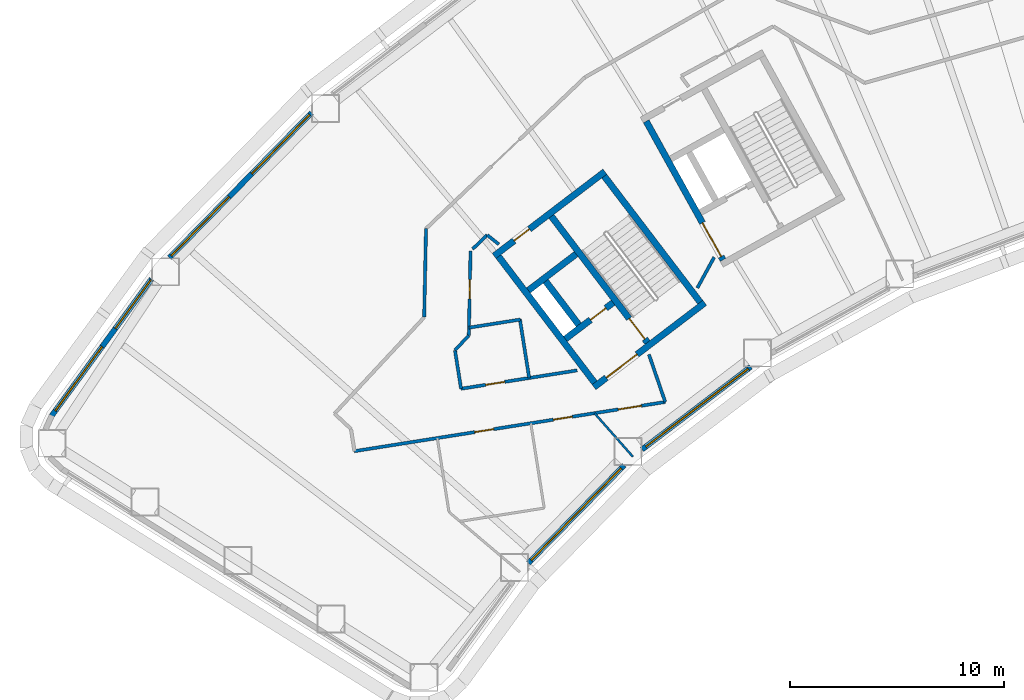
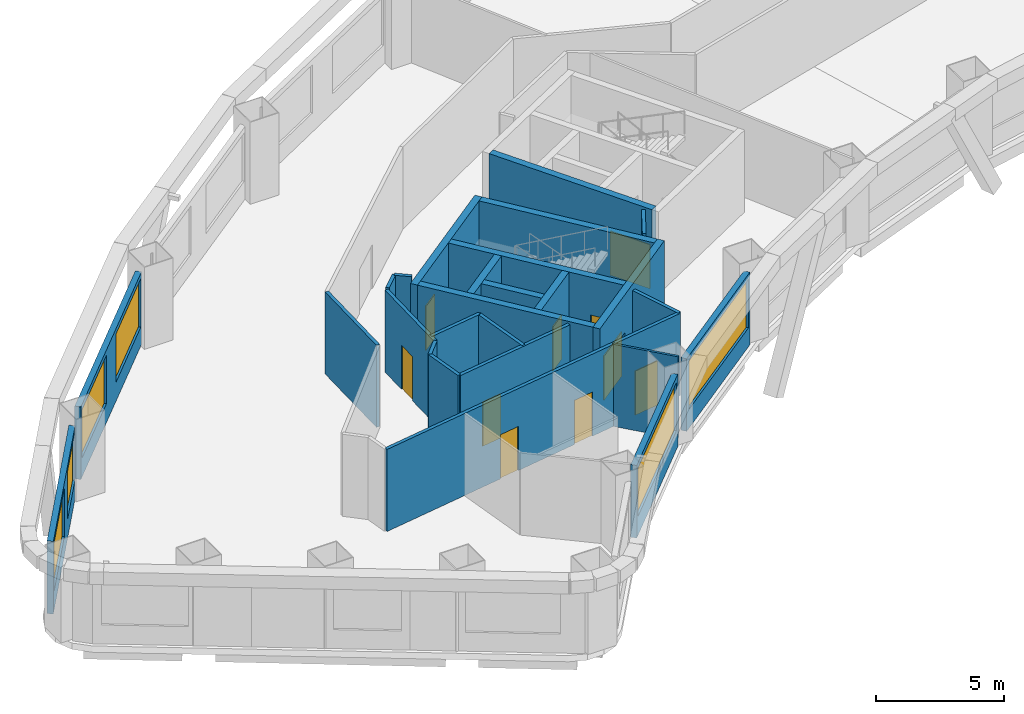
# One storey, part 3 of 14: 26 walls, 10 doors, 6 windows, 16 openings.
"""IFC4 building model written with IfcOpenShell, lengths in metres."""

from ifc_helpers import new_model, si_unit, direction, frame, frame_2d, origin, place, context, subcontext, project, spatial, rectangle, extrude, material, layer, layer_set, type_object, element, fill, save


model = new_model("IFC4")

# Units and contexts
model_context = context("Model", 3, precision=1e-05, world=origin(), true_north=direction((0.0, 1.0)))
body_context = subcontext(model_context, "Body", "Model", "MODEL_VIEW")
ifc_project = project(units=[si_unit("LENGTHUNIT", "METRE"), si_unit("AREAUNIT", "SQUARE_METRE"), si_unit("VOLUMEUNIT", "CUBIC_METRE"), si_unit("PLANEANGLEUNIT", "RADIAN"), si_unit("MASSUNIT", "GRAM", prefix="KILO")], contexts=[model_context])

# Site, building, storey
site_placement = place(None, origin())
site = spatial("IfcSite", under=ifc_project, at=site_placement, CompositionType="ELEMENT")
building_placement = place(site_placement, origin())
building = spatial("IfcBuilding", under=site, at=building_placement, Name="Tuul Gate Civic Tower", CompositionType="ELEMENT")
storey_placement = place(building_placement, frame((0.0, 0.0, 44.10009765625)))
storey = spatial("IfcBuildingStorey", under=building, at=storey_placement, Name="Level 09", CompositionType="ELEMENT", Elevation=44.10009765625)

# Wall, opening, door
ifc_material_1 = material(Name="Concrete C50/60", Category="concrete")
ifc_layer_1 = layer(ifc_material_1, 0.300048828125)
ifc_layer_set_1 = layer_set([ifc_layer_1], Name="Concrete C50/60")
wall_type_1 = type_object("IfcWallType", Name="Core wall C50/60", PredefinedType="SHEAR", material=ifc_layer_set_1)
wall_1_placement = place(storey_placement, frame((-31.19091796875, -13.669677734375, 0.0), z_axis=(0.0, 0.0, 1.0), x_axis=(-0.795606717756, -0.605813461934, 0.0)))
wall_1 = element("IfcWall", 1, at=wall_1_placement, inside=storey, type_object=wall_type_1, Name="Core wall", PredefinedType="SHEAR", context=body_context, shape_type="SweptSolid", body=[
    extrude(rectangle(XDim=6.5, YDim=0.300048828125, at=frame_2d((3.25, 0.0))), origin(), (0.0, 0.0, 1.0), 3.89990234375),
])
opening_1_placement = place(wall_1_placement, frame((3.97509765625, 0.0, 0.0)))
opening_1 = element("IfcOpeningElement", 2, at=opening_1_placement, cuts=wall_1, Name="Opening LB-W1-LOBBY-1", PredefinedType="OPENING", context=body_context, shape_type="SweptSolid", body=[
    extrude(rectangle(XDim=1.800048828125, YDim=2.10009765625, at=frame_2d((0.89990234375, 1.050048828125))), frame((0.0, 0.16015625, 0.0), z_axis=(0.0, -1.0, 0.0), x_axis=(1.0, 0.0, 0.0)), (0.0, 0.0, 1.0), 0.320068359375),
])
ifc_material_2 = material(Name="Steel", Category="steel")
door_type_1 = type_object("IfcDoorType", Name="Lobby door", OperationType="DOUBLE_DOOR_SINGLE_SWING", PredefinedType="DOOR", material=ifc_material_2)
door_1_placement = place(opening_1_placement, origin())
door_1 = element("IfcDoor", 3, at=door_1_placement, inside=storey, type_object=door_type_1, Name="Lobby door W1-LOBBY", OperationType="DOUBLE_DOOR_SINGLE_SWING", OverallHeight=2.10009765625, OverallWidth=1.800048828125, PredefinedType="DOOR", context=body_context, shape_type="SweptSolid", body=[
    extrude(rectangle(XDim=1.800048828125, YDim=2.10009765625, at=frame_2d((0.89990234375, 1.050048828125))), frame((0.0, 0.02490234375, 0.0), z_axis=(0.0, -1.0, 0.0), x_axis=(1.0, 0.0, 0.0)), (0.0, 0.0, 1.0), 0.050048828125),
])
fill(opening_1, door_1)

wall_2_placement = place(storey_placement, frame((-35.470947265625, -13.66064453125, 0.0), z_axis=(0.0, 0.0, 1.0), x_axis=(-0.795615822227, -0.605801504968, 0.0)))
wall_2 = element("IfcWall", 4, at=wall_2_placement, inside=storey, type_object=wall_type_1, Name="Core wall", PredefinedType="SHEAR", context=body_context, shape_type="SweptSolid", body=[
    extrude(rectangle(XDim=2.800048828125, YDim=0.300048828125, at=frame_2d((1.39990234375, 0.0))), origin(), (0.0, 0.0, 1.0), 3.89990234375),
])
opening_2_placement = place(wall_2_placement, frame((0.425048828125, 0.0, 0.0)))
opening_2 = element("IfcOpeningElement", 5, at=opening_2_placement, cuts=wall_2, Name="Opening FB-W1A1", PredefinedType="OPENING", context=body_context, shape_type="SweptSolid", body=[
    extrude(rectangle(XDim=0.89990234375, YDim=2.10009765625, at=frame_2d((0.449951171875, 1.050048828125))), frame((0.0, 0.16015625, 0.0), z_axis=(0.0, -1.0, 0.0), x_axis=(1.0, 0.0, 0.0)), (0.0, 0.0, 1.0), 0.320068359375),
])
ifc_material_3 = material(Name="Steel", Category="steel")
door_type_2 = type_object("IfcDoorType", Name="Store door", OperationType="NOTDEFINED", PredefinedType="DOOR", material=ifc_material_3)
door_2_placement = place(opening_2_placement, frame((0.89990234375, 0.0, 0.0), z_axis=(0.0, 0.0, 1.0), x_axis=(-1.0, 0.0, 0.0)))
door_2 = element("IfcDoor", 6, at=door_2_placement, inside=storey, type_object=door_type_2, Name="Store door W1A1", OperationType="SINGLE_SWING_RIGHT", OverallHeight=2.10009765625, OverallWidth=0.89990234375, PredefinedType="DOOR", context=body_context, shape_type="SweptSolid", body=[
    extrude(rectangle(XDim=0.89990234375, YDim=2.10009765625, at=frame_2d((0.449951171875, 1.050048828125))), frame((0.0, 0.02490234375, 0.0), z_axis=(0.0, -1.0, 0.0), x_axis=(1.0, 0.0, 0.0)), (0.0, 0.0, 1.0), 0.050048828125),
])
fill(opening_2, door_2)

# Wall
wall_3_placement = place(storey_placement, frame((-37.197509765625, -11.39306640625, 0.0), z_axis=(0.0, 0.0, 1.0), x_axis=(-0.795583820278, -0.605843531707, 0.0)))
element("IfcWall", 7, at=wall_3_placement, inside=storey, type_object=wall_type_1, Name="Core wall", PredefinedType="SHEAR", context=body_context, shape_type="SweptSolid", body=[
    extrude(rectangle(XDim=2.7998046875, YDim=0.300048828125, at=frame_2d((1.39990234375, 0.0))), origin(), (0.0, 0.0, 1.0), 3.89990234375),
])

# Wall, opening, door
wall_4_placement = place(storey_placement, frame((-35.855224609375, -7.543212890625, 0.0), z_axis=(0.0, 0.0, 1.0), x_axis=(-0.79563860527, -0.605771582202, 0.0)))
wall_4 = element("IfcWall", 8, at=wall_4_placement, inside=storey, type_object=wall_type_1, Name="Core wall", PredefinedType="SHEAR", context=body_context, shape_type="SweptSolid", body=[
    extrude(rectangle(XDim=6.5, YDim=0.300048828125, at=frame_2d((3.25, 0.0))), origin(), (0.0, 0.0, 1.0), 3.89990234375),
])
opening_3_placement = place(wall_4_placement, frame((4.425048828125, 0.0, 0.0)))
opening_3 = element("IfcOpeningElement", 9, at=opening_3_placement, cuts=wall_4, Name="Opening B-D17", PredefinedType="OPENING", context=body_context, shape_type="SweptSolid", body=[
    extrude(rectangle(XDim=0.89990234375, YDim=2.10009765625, at=frame_2d((0.449951171875, 1.050048828125))), frame((0.0, 0.16015625, 0.0), z_axis=(0.0, -1.0, 0.0), x_axis=(1.0, 0.0, 0.0)), (0.0, 0.0, 1.0), 0.320068359375),
])
ifc_material_4 = material(Name="Timber door leaf", Category="wood")
door_type_3 = type_object("IfcDoorType", Name="Door D09", OperationType="NOTDEFINED", PredefinedType="DOOR", material=ifc_material_4)
door_3_placement = place(opening_3_placement, origin())
door_3 = element("IfcDoor", 10, at=door_3_placement, inside=storey, type_object=door_type_3, Name="Door B-D17", OperationType="SINGLE_SWING_LEFT", OverallHeight=2.10009765625, OverallWidth=0.89990234375, PredefinedType="DOOR", context=body_context, shape_type="SweptSolid", body=[
    extrude(rectangle(XDim=0.89990234375, YDim=2.10009765625, at=frame_2d((0.449951171875, 1.050048828125))), frame((0.0, 0.02490234375, 0.0), z_axis=(0.0, -1.0, 0.0), x_axis=(1.0, 0.0, 0.0)), (0.0, 0.0, 1.0), 0.050048828125),
])
fill(opening_3, door_3)

# Wall
wall_5_placement = place(storey_placement, frame((-31.401123046875, -13.64111328125, 0.0), z_axis=(0.0, 0.0, 1.0), x_axis=(-0.605769822278, 0.795639945213, 0.0)))
element("IfcWall", 11, at=wall_5_placement, inside=storey, type_object=wall_type_1, Name="Core wall", PredefinedType="SHEAR", context=body_context, shape_type="SweptSolid", body=[
    extrude(rectangle(XDim=7.39990234375, YDim=0.300048828125, at=frame_2d((3.699951171875, 0.0))), origin(), (0.0, 0.0, 1.0), 3.89990234375),
])

# Wall, opening, door
wall_6_placement = place(storey_placement, frame((-33.867431640625, -15.51904296875, 0.0), z_axis=(0.0, 0.0, 1.0), x_axis=(-0.605769822278, 0.795639945213, 0.0)))
wall_6 = element("IfcWall", 12, at=wall_6_placement, inside=storey, type_object=wall_type_1, Name="Core wall", PredefinedType="SHEAR", context=body_context, shape_type="SweptSolid", body=[
    extrude(rectangle(XDim=7.39990234375, YDim=0.300048828125, at=frame_2d((3.699951171875, 0.0))), origin(), (0.0, 0.0, 1.0), 3.89990234375),
])
opening_4_placement = place(wall_6_placement, frame((0.199951171875, 0.0, 0.0)))
opening_4 = element("IfcOpeningElement", 13, at=opening_4_placement, cuts=wall_6, Name="Opening SD-ST-1", PredefinedType="OPENING", context=body_context, shape_type="SweptSolid", body=[
    extrude(rectangle(XDim=1.199951171875, YDim=2.10009765625, at=frame_2d((0.60009765625, 1.050048828125))), frame((0.0, 0.16015625, 0.0), z_axis=(0.0, -1.0, 0.0), x_axis=(1.0, 0.0, 0.0)), (0.0, 0.0, 1.0), 0.320068359375),
])
ifc_material_5 = material(Name="Steel", Category="steel")
door_type_4 = type_object("IfcDoorType", Name="Stair door", OperationType="NOTDEFINED", PredefinedType="DOOR", material=ifc_material_5)
door_4_placement = place(opening_4_placement, origin())
door_4 = element("IfcDoor", 14, at=door_4_placement, inside=storey, type_object=door_type_4, Name="Stair door ST-1", OperationType="SINGLE_SWING_LEFT", OverallHeight=2.10009765625, OverallWidth=1.199951171875, PredefinedType="DOOR", context=body_context, shape_type="SweptSolid", body=[
    extrude(rectangle(XDim=1.199951171875, YDim=2.10009765625, at=frame_2d((0.60009765625, 1.050048828125))), frame((0.0, 0.02490234375, 0.0), z_axis=(0.0, -1.0, 0.0), x_axis=(1.0, 0.0, 0.0)), (0.0, 0.0, 1.0), 0.050048828125),
])
fill(opening_4, door_4)

# Walls
wall_7_placement = place(storey_placement, frame((-37.073486328125, -14.6923828125, 0.0), z_axis=(0.0, 0.0, 1.0), x_axis=(-0.605728760074, 0.79567120673, 0.0)))
element("IfcWall", 15, at=wall_7_placement, inside=storey, type_object=wall_type_1, Name="Core wall", PredefinedType="SHEAR", context=body_context, shape_type="SweptSolid", body=[
    extrude(rectangle(XDim=2.550048828125, YDim=0.300048828125, at=frame_2d((1.27490234375, 0.0))), origin(), (0.0, 0.0, 1.0), 3.89990234375),
])
wall_8_placement = place(storey_placement, frame((-36.333984375, -17.397216796875, 0.0), z_axis=(0.0, 0.0, 1.0), x_axis=(-0.605753921168, 0.795652051458, 0.0)))
element("IfcWall", 16, at=wall_8_placement, inside=storey, type_object=wall_type_1, Name="Core wall", PredefinedType="SHEAR", context=body_context, shape_type="SweptSolid", body=[
    extrude(rectangle(XDim=7.400146484375, YDim=0.300048828125, at=frame_2d((3.7001953125, 0.0))), origin(), (0.0, 0.0, 1.0), 3.89990234375),
])

# Wall, opening, door
wall_9_placement = place(storey_placement, frame((-30.33837890625, -11.6630859375, 0.0), z_axis=(0.0, 0.0, 1.0), x_axis=(-0.484751894226, 0.874651702704, 0.0)))
wall_9 = element("IfcWall", 17, at=wall_9_placement, inside=storey, type_object=wall_type_1, Name="Core wall", PredefinedType="SHEAR", context=body_context, shape_type="SweptSolid", body=[
    extrude(rectangle(XDim=7.39990234375, YDim=0.300048828125, at=frame_2d((3.699951171875, 0.0))), origin(), (0.0, 0.0, 1.0), 3.89990234375),
])
opening_5_placement = place(wall_9_placement, frame((0.175048828125, 0.0, 0.0)))
opening_5 = element("IfcOpeningElement", 18, at=opening_5_placement, cuts=wall_9, Name="Opening LB-W2-FLOBBY-1", PredefinedType="OPENING", context=body_context, shape_type="SweptSolid", body=[
    extrude(rectangle(XDim=1.800048828125, YDim=2.10009765625, at=frame_2d((0.89990234375, 1.050048828125))), frame((0.0, 0.16015625, 0.0), z_axis=(0.0, -1.0, 0.0), x_axis=(1.0, 0.0, 0.0)), (0.0, 0.0, 1.0), 0.320068359375),
])
door_5_placement = place(opening_5_placement, frame((1.800048828125, 0.0, 0.0), z_axis=(0.0, 0.0, 1.0), x_axis=(-1.0, 0.0, 0.0)))
door_5 = element("IfcDoor", 19, at=door_5_placement, inside=storey, type_object=door_type_1, Name="Lobby door W2-FLOBBY", OperationType="DOUBLE_DOOR_SINGLE_SWING", OverallHeight=2.10009765625, OverallWidth=1.800048828125, PredefinedType="DOOR", context=body_context, shape_type="SweptSolid", body=[
    extrude(rectangle(XDim=1.800048828125, YDim=2.10009765625, at=frame_2d((0.900146484375, 1.050048828125))), frame((0.0, 0.02490234375, 0.0), z_axis=(0.0, -1.0, 0.0), x_axis=(1.0, 0.0, 0.0)), (0.0, 0.0, 1.0), 0.050048828125),
])
fill(opening_5, door_5)

# Wall, openings, doors
ifc_material_6 = material(Name="Gypsum board partition")
ifc_layer_2 = layer(ifc_material_6, 0.14990234375)
ifc_layer_set_2 = layer_set([ifc_layer_2], Name="Gypsum board partition")
wall_type_2 = type_object("IfcWallType", Name="Corridor wall P150", PredefinedType="PARTITIONING", material=ifc_layer_set_2)
wall_10_placement = place(storey_placement, frame((-47.546142578125, -20.59619140625, 0.0), z_axis=(0.0, 0.0, 1.0), x_axis=(0.987707387787, 0.156314158386, 0.0)))
wall_10 = element("IfcWall", 20, at=wall_10_placement, inside=storey, type_object=wall_type_2, Name="p035", PredefinedType="PARTITIONING", context=body_context, shape_type="SweptSolid", body=[
    extrude(rectangle(XDim=14.69091796875, YDim=0.14990234375, at=frame_2d((7.345458984375, 0.0))), origin(), (0.0, 0.0, 1.0), 3.89990234375),
])
opening_6_placement = place(wall_10_placement, frame((5.675048828125, 0.0, 0.0)))
opening_6 = element("IfcOpeningElement", 21, at=opening_6_placement, cuts=wall_10, Name="Opening B-D11", PredefinedType="OPENING", context=body_context, shape_type="SweptSolid", body=[
    extrude(rectangle(XDim=0.89990234375, YDim=2.10009765625, at=frame_2d((0.449951171875, 1.050048828125))), frame((0.0, 0.0849609375, 0.0), z_axis=(0.0, -1.0, 0.0), x_axis=(1.0, 0.0, 0.0)), (0.0, 0.0, 1.0), 0.169921875),
])
opening_7_placement = place(wall_10_placement, frame((9.39404296875, 0.0, 0.0)))
opening_7 = element("IfcOpeningElement", 22, at=opening_7_placement, cuts=wall_10, Name="Opening B-D13", PredefinedType="OPENING", context=body_context, shape_type="SweptSolid", body=[
    extrude(rectangle(XDim=0.89990234375, YDim=2.10009765625, at=frame_2d((0.449951171875, 1.050048828125))), frame((0.0, 0.0849609375, 0.0), z_axis=(0.0, -1.0, 0.0), x_axis=(1.0, 0.0, 0.0)), (0.0, 0.0, 1.0), 0.169921875),
])
opening_8_placement = place(wall_10_placement, frame((12.468505859375, 0.0, 0.0)))
opening_8 = element("IfcOpeningElement", 23, at=opening_8_placement, cuts=wall_10, Name="Opening B-D16", PredefinedType="OPENING", context=body_context, shape_type="SweptSolid", body=[
    extrude(rectangle(XDim=1.10009765625, YDim=2.10009765625, at=frame_2d((0.550048828125, 1.050048828125))), frame((0.0, 0.0849609375, 0.0), z_axis=(0.0, -1.0, 0.0), x_axis=(1.0, 0.0, 0.0)), (0.0, 0.0, 1.0), 0.169921875),
])
door_6_placement = place(opening_6_placement, frame((0.89990234375, 0.0, 0.0), z_axis=(0.0, 0.0, 1.0), x_axis=(-1.0, 0.0, 0.0)))
door_6 = element("IfcDoor", 24, at=door_6_placement, inside=storey, type_object=door_type_3, Name="Door B-D11", OperationType="SINGLE_SWING_LEFT", OverallHeight=2.10009765625, OverallWidth=0.89990234375, PredefinedType="DOOR", context=body_context, shape_type="SweptSolid", body=[
    extrude(rectangle(XDim=0.89990234375, YDim=2.10009765625, at=frame_2d((0.449951171875, 1.050048828125))), frame((0.0, 0.02490234375, 0.0), z_axis=(0.0, -1.0, 0.0), x_axis=(1.0, 0.0, 0.0)), (0.0, 0.0, 1.0), 0.050048828125),
])
fill(opening_6, door_6)
door_7_placement = place(opening_7_placement, frame((0.89990234375, 0.0, 0.0), z_axis=(0.0, 0.0, 1.0), x_axis=(-1.0, 0.0, 0.0)))
door_7 = element("IfcDoor", 25, at=door_7_placement, inside=storey, type_object=door_type_3, Name="Door B-D13", OperationType="SINGLE_SWING_RIGHT", OverallHeight=2.10009765625, OverallWidth=0.89990234375, PredefinedType="DOOR", context=body_context, shape_type="SweptSolid", body=[
    extrude(rectangle(XDim=0.89990234375, YDim=2.10009765625, at=frame_2d((0.449951171875, 1.050048828125))), frame((0.0, 0.02490234375, 0.0), z_axis=(0.0, -1.0, 0.0), x_axis=(1.0, 0.0, 0.0)), (0.0, 0.0, 1.0), 0.050048828125),
])
fill(opening_7, door_7)
ifc_material_7 = material(Name="Timber door leaf", Category="wood")
door_type_5 = type_object("IfcDoorType", Name="Door D11", OperationType="NOTDEFINED", PredefinedType="DOOR", material=ifc_material_7)
door_8_placement = place(opening_8_placement, frame((1.10009765625, 0.0, 0.0), z_axis=(0.0, 0.0, 1.0), x_axis=(-1.0, 0.0, 0.0)))
door_8 = element("IfcDoor", 26, at=door_8_placement, inside=storey, type_object=door_type_5, Name="Door B-D16", OperationType="SINGLE_SWING_RIGHT", OverallHeight=2.10009765625, OverallWidth=1.10009765625, PredefinedType="DOOR", context=body_context, shape_type="SweptSolid", body=[
    extrude(rectangle(XDim=1.10009765625, YDim=2.10009765625, at=frame_2d((0.550048828125, 1.050048828125))), frame((0.0, 0.02490234375, 0.0), z_axis=(0.0, -1.0, 0.0), x_axis=(1.0, 0.0, 0.0)), (0.0, 0.0, 1.0), 0.050048828125),
])
fill(opening_8, door_8)

# Walls
wall_11_placement = place(storey_placement, frame((-44.291259765625, -14.34033203125, 0.0), z_axis=(0.0, 0.0, 1.0), x_axis=(0.020653092472, 0.999786702138, 0.0)))
element("IfcWall", 27, at=wall_11_placement, inside=storey, type_object=wall_type_2, Name="p038", PredefinedType="PARTITIONING", context=body_context, shape_type="SweptSolid", body=[
    extrude(rectangle(XDim=4.137451171875, YDim=0.14990234375, at=frame_2d((2.06884765625, 0.0))), origin(), (0.0, 0.0, 1.0), 3.89990234375),
])
wall_12_placement = place(storey_placement, frame((-33.797607421875, -16.077392578125, 0.0), z_axis=(0.0, 0.0, 1.0), x_axis=(0.324510337468, -0.945882149571, 0.0)))
element("IfcWall", 28, at=wall_12_placement, inside=storey, type_object=wall_type_2, Name="p048", PredefinedType="PARTITIONING", context=body_context, shape_type="SweptSolid", body=[
    extrude(rectangle(XDim=2.348876953125, YDim=0.14990234375, at=frame_2d((1.17431640625, 0.0))), origin(), (0.0, 0.0, 1.0), 3.89990234375),
])
wall_13_placement = place(storey_placement, frame((-31.532958984375, -12.971435546875, 0.0), z_axis=(0.0, 0.0, 1.0), x_axis=(0.480067911301, 0.877231326697, 0.0)))
element("IfcWall", 29, at=wall_13_placement, inside=storey, type_object=wall_type_2, Name="p049", PredefinedType="PARTITIONING", context=body_context, shape_type="SweptSolid", body=[
    extrude(rectangle(XDim=1.63134765625, YDim=0.14990234375, at=frame_2d((0.815673828125, 0.0))), origin(), (0.0, 0.0, 1.0), 3.89990234375),
])
wall_14_placement = place(storey_placement, frame((-42.852783203125, -15.885009765625, 0.0), z_axis=(0.0, 0.0, 1.0), x_axis=(0.156300148027, -0.987709604958, 0.0)))
element("IfcWall", 30, at=wall_14_placement, inside=storey, type_object=wall_type_2, Name="p055", PredefinedType="PARTITIONING", context=body_context, shape_type="SweptSolid", body=[
    extrude(rectangle(XDim=1.81982421875, YDim=0.14990234375, at=frame_2d((0.909912109375, 0.0))), origin(), (0.0, 0.0, 1.0), 3.89990234375),
])
wall_15_placement = place(storey_placement, frame((-42.852783203125, -15.885009765625, 0.0), z_axis=(0.0, 0.0, 1.0), x_axis=(0.681609338195, 0.73171627704, 0.0)))
element("IfcWall", 31, at=wall_15_placement, inside=storey, type_object=wall_type_2, Name="p056", PredefinedType="PARTITIONING", context=body_context, shape_type="SweptSolid", body=[
    extrude(rectangle(XDim=0.9453125, YDim=0.14990234375, at=frame_2d((0.47265625, 0.0))), origin(), (0.0, 0.0, 1.0), 3.89990234375),
])

# Wall, opening, door
wall_16_placement = place(storey_placement, frame((-42.20849609375, -15.193359375, 0.0), z_axis=(0.0, 0.0, 1.0), x_axis=(0.020844316115, 0.999782733641, 0.0)))
wall_16 = element("IfcWall", 32, at=wall_16_placement, inside=storey, type_object=wall_type_2, Name="p057", PredefinedType="PARTITIONING", context=body_context, shape_type="SweptSolid", body=[
    extrude(rectangle(XDim=3.935546875, YDim=0.14990234375, at=frame_2d((1.9677734375, 0.0))), origin(), (0.0, 0.0, 1.0), 3.89990234375),
])
opening_9_placement = place(wall_16_placement, frame((1.7119140625, 0.0, 0.0)))
opening_9 = element("IfcOpeningElement", 33, at=opening_9_placement, cuts=wall_16, Name="Opening B-D14", PredefinedType="OPENING", context=body_context, shape_type="SweptSolid", body=[
    extrude(rectangle(XDim=0.89990234375, YDim=2.10009765625, at=frame_2d((0.449951171875, 1.050048828125))), frame((0.0, 0.0849609375, 0.0), z_axis=(0.0, -1.0, 0.0), x_axis=(1.0, 0.0, 0.0)), (0.0, 0.0, 1.0), 0.169921875),
])
door_9_placement = place(opening_9_placement, frame((0.89990234375, 0.0, 0.0), z_axis=(0.0, 0.0, 1.0), x_axis=(-1.0, 0.0, 0.0)))
door_9 = element("IfcDoor", 34, at=door_9_placement, inside=storey, type_object=door_type_3, Name="Door B-D14", OperationType="SINGLE_SWING_RIGHT", OverallHeight=2.10009765625, OverallWidth=0.89990234375, PredefinedType="DOOR", context=body_context, shape_type="SweptSolid", body=[
    extrude(rectangle(XDim=0.89990234375, YDim=2.10009765625, at=frame_2d((0.449951171875, 1.050048828125))), frame((0.0, 0.02490234375, 0.0), z_axis=(0.0, -1.0, 0.0), x_axis=(1.0, 0.0, 0.0)), (0.0, 0.0, 1.0), 0.050048828125),
])
fill(opening_9, door_9)

# Walls
wall_17_placement = place(storey_placement, frame((-42.200927734375, -14.829833984375, 0.0), z_axis=(0.0, 0.0, 1.0), x_axis=(0.987711638191, 0.156287298848, 0.0)))
element("IfcWall", 35, at=wall_17_placement, inside=storey, type_object=wall_type_2, Name="p058", PredefinedType="PARTITIONING", context=body_context, shape_type="SweptSolid", body=[
    extrude(rectangle(XDim=2.43212890625, YDim=0.14990234375, at=frame_2d((1.216064453125, 0.0))), origin(), (0.0, 0.0, 1.0), 3.89990234375),
])
wall_18_placement = place(storey_placement, frame((-39.82275390625, -14.43212890625, 0.0), z_axis=(0.0, 0.0, 1.0), x_axis=(0.156350251812, -0.98770167498, 0.0)))
element("IfcWall", 36, at=wall_18_placement, inside=storey, type_object=wall_type_2, Name="p059", PredefinedType="PARTITIONING", context=body_context, shape_type="SweptSolid", body=[
    extrude(rectangle(XDim=2.781005859375, YDim=0.14990234375, at=frame_2d((1.390625, 0.0))), origin(), (0.0, 0.0, 1.0), 3.89990234375),
])

# Wall, opening, door
wall_19_placement = place(storey_placement, frame((-42.568359375, -17.682373046875, 0.0), z_axis=(0.0, 0.0, 1.0), x_axis=(0.987706271682, 0.156321210588, 0.0)))
wall_19 = element("IfcWall", 37, at=wall_19_placement, inside=storey, type_object=wall_type_2, Name="p060", PredefinedType="PARTITIONING", context=body_context, shape_type="SweptSolid", body=[
    extrude(rectangle(XDim=5.488037109375, YDim=0.14990234375, at=frame_2d((2.744140625, 0.0))), origin(), (0.0, 0.0, 1.0), 3.89990234375),
])
opening_10_placement = place(wall_19_placement, frame((1.159912109375, 0.0, 0.0)))
opening_10 = element("IfcOpeningElement", 38, at=opening_10_placement, cuts=wall_19, Name="Opening B-D12", PredefinedType="OPENING", context=body_context, shape_type="SweptSolid", body=[
    extrude(rectangle(XDim=0.89990234375, YDim=2.10009765625, at=frame_2d((0.449951171875, 1.050048828125))), frame((0.0, 0.0849609375, 0.0), z_axis=(0.0, -1.0, 0.0), x_axis=(1.0, 0.0, 0.0)), (0.0, 0.0, 1.0), 0.169921875),
])
door_10_placement = place(opening_10_placement, origin())
door_10 = element("IfcDoor", 39, at=door_10_placement, inside=storey, type_object=door_type_3, Name="Door B-D12", OperationType="SINGLE_SWING_RIGHT", OverallHeight=2.10009765625, OverallWidth=0.89990234375, PredefinedType="DOOR", context=body_context, shape_type="SweptSolid", body=[
    extrude(rectangle(XDim=0.89990234375, YDim=2.10009765625, at=frame_2d((0.449951171875, 1.050048828125))), frame((0.0, 0.02490234375, 0.0), z_axis=(0.0, -1.0, 0.0), x_axis=(1.0, 0.0, 0.0)), (0.0, 0.0, 1.0), 0.050048828125),
])
fill(opening_10, door_10)

# Walls
wall_20_placement = place(storey_placement, frame((-41.3466796875, -10.502685546875, 0.0), z_axis=(0.0, 0.0, 1.0), x_axis=(0.780215151957, -0.625511244229, 0.0)))
element("IfcWall", 40, at=wall_20_placement, inside=storey, type_object=wall_type_2, Name="p063", PredefinedType="PARTITIONING", context=body_context, shape_type="SweptSolid", body=[
    extrude(rectangle(XDim=0.69287109375, YDim=0.14990234375, at=frame_2d((0.346435546875, 0.0))), origin(), (0.0, 0.0, 1.0), 3.89990234375),
])
wall_21_placement = place(storey_placement, frame((-42.031982421875, -11.1591796875, 0.0), z_axis=(0.0, 0.0, 1.0), x_axis=(0.722122058675, 0.691765662906, 0.0)))
element("IfcWall", 41, at=wall_21_placement, inside=storey, type_object=wall_type_2, Name="p064", PredefinedType="PARTITIONING", context=body_context, shape_type="SweptSolid", body=[
    extrude(rectangle(XDim=0.948974609375, YDim=0.14990234375, at=frame_2d((0.474609375, 0.0))), origin(), (0.0, 0.0, 1.0), 3.89990234375),
])

# Wall, openings, windows
ifc_material_8 = material(Name="Precast concrete C40/50", Category="concrete")
ifc_layer_3 = layer(ifc_material_8, 0.25)
ifc_layer_set_3 = layer_set([ifc_layer_3], Name="Precast concrete C40/50")
wall_type_3 = type_object("IfcWallType", Name="External wall", PredefinedType="STANDARD", material=ifc_layer_set_3)
wall_22_placement = place(storey_placement, frame((-49.548095703125, -4.791748046875, 0.0), z_axis=(0.0, 0.0, 1.0), x_axis=(-0.699994476854, -0.714148256578, 0.0)))
wall_22 = element("IfcWall", 42, at=wall_22_placement, inside=storey, type_object=wall_type_3, Name="External wall", PredefinedType="STANDARD", context=body_context, shape_type="SweptSolid", body=[
    extrude(rectangle(XDim=9.487060546875, YDim=0.25, at=frame_2d((4.74365234375, 0.0))), origin(), (0.0, 0.0, 1.0), 3.449951171875),
])
opening_11_placement = place(wall_22_placement, frame((0.13037109375, 0.0, 0.89990234375)))
opening_11 = element("IfcOpeningElement", 43, at=opening_11_placement, cuts=wall_22, Name="Opening W22", PredefinedType="OPENING", context=body_context, shape_type="SweptSolid", body=[
    extrude(rectangle(XDim=3.85009765625, YDim=2.300048828125, at=frame_2d((1.925048828125, 1.14990234375))), frame((0.0, 0.135009765625, 0.0), z_axis=(0.0, -1.0, 0.0), x_axis=(1.0, 0.0, 0.0)), (0.0, 0.0, 1.0), 0.27001953125),
])
opening_12_placement = place(wall_22_placement, frame((5.501708984375, 0.0, 0.89990234375)))
opening_12 = element("IfcOpeningElement", 44, at=opening_12_placement, cuts=wall_22, Name="Opening W22", PredefinedType="OPENING", context=body_context, shape_type="SweptSolid", body=[
    extrude(rectangle(XDim=3.85009765625, YDim=2.300048828125, at=frame_2d((1.925048828125, 1.14990234375))), frame((0.0, 0.135009765625, 0.0), z_axis=(0.0, -1.0, 0.0), x_axis=(1.0, 0.0, 0.0)), (0.0, 0.0, 1.0), 0.27001953125),
])
ifc_material_9 = material(Name="Glass", Category="glass")
window_type_1 = type_object("IfcWindowType", Name="Window W22 3850 x 2300", PartitioningType="SINGLE_PANEL", PredefinedType="WINDOW", material=ifc_material_9)
window_1_placement = place(opening_11_placement, origin())
window_1 = element("IfcWindow", 45, at=window_1_placement, inside=storey, type_object=window_type_1, Name="Window", OverallHeight=2.300048828125, OverallWidth=3.85009765625, PartitioningType="SINGLE_PANEL", PredefinedType="WINDOW", context=body_context, shape_type="SweptSolid", body=[
    extrude(rectangle(XDim=3.85009765625, YDim=2.300048828125, at=frame_2d((1.925048828125, 1.14990234375))), frame((0.0, 0.030029296875, 0.0), z_axis=(0.0, -1.0, 0.0), x_axis=(1.0, 0.0, 0.0)), (0.0, 0.0, 1.0), 0.06005859375),
])
fill(opening_11, window_1)
window_2_placement = place(opening_12_placement, origin())
window_2 = element("IfcWindow", 46, at=window_2_placement, inside=storey, type_object=window_type_1, Name="Window", OverallHeight=2.300048828125, OverallWidth=3.85009765625, PartitioningType="SINGLE_PANEL", PredefinedType="WINDOW", context=body_context, shape_type="SweptSolid", body=[
    extrude(rectangle(XDim=3.85009765625, YDim=2.300048828125, at=frame_2d((1.925048828125, 1.14990234375))), frame((0.0, 0.030029296875, 0.0), z_axis=(0.0, -1.0, 0.0), x_axis=(1.0, 0.0, 0.0)), (0.0, 0.0, 1.0), 0.06005859375),
])
fill(opening_12, window_2)

wall_23_placement = place(storey_placement, frame((-57.02197265625, -12.556884765625, 0.0), z_axis=(0.0, 0.0, 1.0), x_axis=(-0.589806928208, -0.807544294412, 0.0)))
wall_23 = element("IfcWall", 47, at=wall_23_placement, inside=storey, type_object=wall_type_3, Name="External wall", PredefinedType="STANDARD", context=body_context, shape_type="SweptSolid", body=[
    extrude(rectangle(XDim=7.912841796875, YDim=0.25, at=frame_2d((3.95654296875, 0.0))), origin(), (0.0, 0.0, 1.0), 3.449951171875),
])
opening_13_placement = place(wall_23_placement, frame((0.060791015625, 0.0, 0.89990234375)))
opening_13 = element("IfcOpeningElement", 48, at=opening_13_placement, cuts=wall_23, Name="Opening W23", PredefinedType="OPENING", context=body_context, shape_type="SweptSolid", body=[
    extrude(rectangle(XDim=2.800048828125, YDim=2.300048828125, at=frame_2d((1.39990234375, 1.14990234375))), frame((0.0, 0.135009765625, 0.0), z_axis=(0.0, -1.0, 0.0), x_axis=(1.0, 0.0, 0.0)), (0.0, 0.0, 1.0), 0.27001953125),
])
opening_14_placement = place(wall_23_placement, frame((3.912109375, 0.0, 0.89990234375)))
opening_14 = element("IfcOpeningElement", 49, at=opening_14_placement, cuts=wall_23, Name="Opening W21", PredefinedType="OPENING", context=body_context, shape_type="SweptSolid", body=[
    extrude(rectangle(XDim=3.699951171875, YDim=2.300048828125, at=frame_2d((1.85009765625, 1.14990234375))), frame((0.0, 0.135009765625, 0.0), z_axis=(0.0, -1.0, 0.0), x_axis=(1.0, 0.0, 0.0)), (0.0, 0.0, 1.0), 0.27001953125),
])
ifc_material_10 = material(Name="Glass", Category="glass")
window_type_2 = type_object("IfcWindowType", Name="Window W21 3700 x 2300", PartitioningType="SINGLE_PANEL", PredefinedType="WINDOW", material=ifc_material_10)
window_3_placement = place(opening_14_placement, origin())
window_3 = element("IfcWindow", 50, at=window_3_placement, inside=storey, type_object=window_type_2, Name="Window", OverallHeight=2.300048828125, OverallWidth=3.699951171875, PartitioningType="SINGLE_PANEL", PredefinedType="WINDOW", context=body_context, shape_type="SweptSolid", body=[
    extrude(rectangle(XDim=3.699951171875, YDim=2.300048828125, at=frame_2d((1.85009765625, 1.14990234375))), frame((0.0, 0.030029296875, 0.0), z_axis=(0.0, -1.0, 0.0), x_axis=(1.0, 0.0, 0.0)), (0.0, 0.0, 1.0), 0.06005859375),
])
fill(opening_14, window_3)
ifc_material_11 = material(Name="Glass", Category="glass")
window_type_3 = type_object("IfcWindowType", Name="Window W23 2800 x 2300", PartitioningType="SINGLE_PANEL", PredefinedType="WINDOW", material=ifc_material_11)
window_4_placement = place(opening_13_placement, origin())
window_4 = element("IfcWindow", 51, at=window_4_placement, inside=storey, type_object=window_type_3, Name="Window", OverallHeight=2.300048828125, OverallWidth=2.800048828125, PartitioningType="SINGLE_PANEL", PredefinedType="WINDOW", context=body_context, shape_type="SweptSolid", body=[
    extrude(rectangle(XDim=2.800048828125, YDim=2.300048828125, at=frame_2d((1.39990234375, 1.14990234375))), frame((0.0, 0.030029296875, 0.0), z_axis=(0.0, -1.0, 0.0), x_axis=(1.0, 0.0, 0.0)), (0.0, 0.0, 1.0), 0.06005859375),
])
fill(opening_13, window_4)

# Wall, opening, window
wall_24_placement = place(storey_placement, frame((-39.430908203125, -25.827392578125, 0.0), z_axis=(0.0, 0.0, 1.0), x_axis=(0.699998211198, 0.714144596227, 0.0)))
wall_24 = element("IfcWall", 52, at=wall_24_placement, inside=storey, type_object=wall_type_3, Name="External wall", PredefinedType="STANDARD", context=body_context, shape_type="SweptSolid", body=[
    extrude(rectangle(XDim=6.40283203125, YDim=0.25, at=frame_2d((3.201416015625, 0.0))), origin(), (0.0, 0.0, 1.0), 3.449951171875),
])
opening_15_placement = place(wall_24_placement, frame((0.19873046875, 0.0, 0.89990234375)))
opening_15 = element("IfcOpeningElement", 53, at=opening_15_placement, cuts=wall_24, Name="Opening W26", PredefinedType="OPENING", context=body_context, shape_type="SweptSolid", body=[
    extrude(rectangle(XDim=6.0, YDim=2.300048828125, at=frame_2d((3.0, 1.14990234375))), frame((0.0, 0.135009765625, 0.0), z_axis=(0.0, -1.0, 0.0), x_axis=(1.0, 0.0, 0.0)), (0.0, 0.0, 1.0), 0.27001953125),
])
ifc_material_12 = material(Name="Glass", Category="glass")
window_type_4 = type_object("IfcWindowType", Name="Window W26 6000 x 2300", PartitioningType="SINGLE_PANEL", PredefinedType="WINDOW", material=ifc_material_12)
window_5_placement = place(opening_15_placement, origin())
window_5 = element("IfcWindow", 54, at=window_5_placement, inside=storey, type_object=window_type_4, Name="Window", OverallHeight=2.300048828125, OverallWidth=6.0, PartitioningType="SINGLE_PANEL", PredefinedType="WINDOW", context=body_context, shape_type="SweptSolid", body=[
    extrude(rectangle(XDim=6.0, YDim=2.300048828125, at=frame_2d((3.0, 1.14990234375))), frame((0.0, 0.030029296875, 0.0), z_axis=(0.0, -1.0, 0.0), x_axis=(1.0, 0.0, 0.0)), (0.0, 0.0, 1.0), 0.06005859375),
])
fill(opening_15, window_5)

wall_25_placement = place(storey_placement, frame((-34.116943359375, -20.5185546875, 0.0), z_axis=(0.0, 0.0, 1.0), x_axis=(0.795571471624, 0.605859747416, 0.0)))
wall_25 = element("IfcWall", 55, at=wall_25_placement, inside=storey, type_object=wall_type_3, Name="External wall", PredefinedType="STANDARD", context=body_context, shape_type="SweptSolid", body=[
    extrude(rectangle(XDim=6.375244140625, YDim=0.25, at=frame_2d((3.1875, 0.0))), origin(), (0.0, 0.0, 1.0), 3.449951171875),
])
opening_16_placement = place(wall_25_placement, frame((0.226806640625, 0.0, 0.89990234375)))
opening_16 = element("IfcOpeningElement", 56, at=opening_16_placement, cuts=wall_25, Name="Opening W26", PredefinedType="OPENING", context=body_context, shape_type="SweptSolid", body=[
    extrude(rectangle(XDim=6.0, YDim=2.300048828125, at=frame_2d((3.0, 1.14990234375))), frame((0.0, 0.135009765625, 0.0), z_axis=(0.0, -1.0, 0.0), x_axis=(1.0, 0.0, 0.0)), (0.0, 0.0, 1.0), 0.27001953125),
])
window_6_placement = place(opening_16_placement, origin())
window_6 = element("IfcWindow", 57, at=window_6_placement, inside=storey, type_object=window_type_4, Name="Window", OverallHeight=2.300048828125, OverallWidth=6.0, PartitioningType="SINGLE_PANEL", PredefinedType="WINDOW", context=body_context, shape_type="SweptSolid", body=[
    extrude(rectangle(XDim=6.0, YDim=2.300048828125, at=frame_2d((3.0, 1.14990234375))), frame((0.0, 0.030029296875, 0.0), z_axis=(0.0, -1.0, 0.0), x_axis=(1.0, 0.0, 0.0)), (0.0, 0.0, 1.0), 0.06005859375),
])
fill(opening_16, window_6)

# Wall
ifc_material_13 = material(Name="Gypsum board partition")
ifc_layer_4 = layer(ifc_material_13, 0.10009765625)
ifc_layer_set_4 = layer_set([ifc_layer_4], Name="Gypsum board partition")
wall_type_4 = type_object("IfcWallType", Name="Partition P100", PredefinedType="PARTITIONING", material=ifc_layer_set_4)
wall_26_placement = place(storey_placement, frame((-36.33935546875, -18.822509765625, 0.0), z_axis=(0.0, 0.0, 1.0), x_axis=(0.661690219686, -0.749777335728, 0.0)))
element("IfcWall", 58, at=wall_26_placement, inside=storey, type_object=wall_type_4, Name="p052", PredefinedType="PARTITIONING", context=body_context, shape_type="SweptSolid", body=[
    extrude(rectangle(XDim=2.707763671875, YDim=0.10009765625, at=frame_2d((1.35400390625, 0.0))), origin(), (0.0, 0.0, 1.0), 3.89990234375),
])

save(model, "model.ifc")
